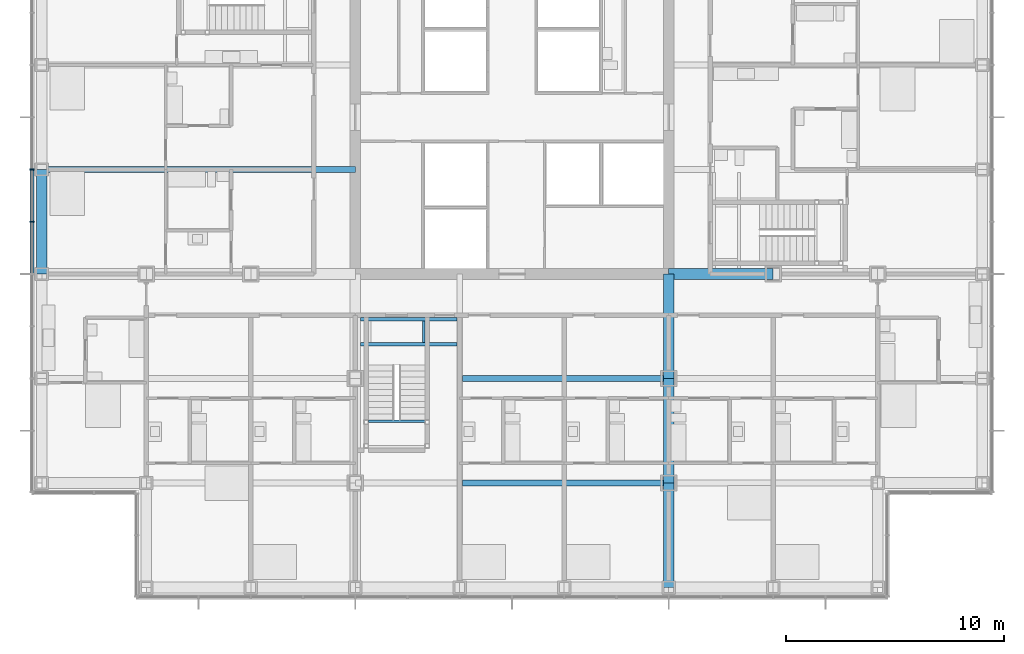
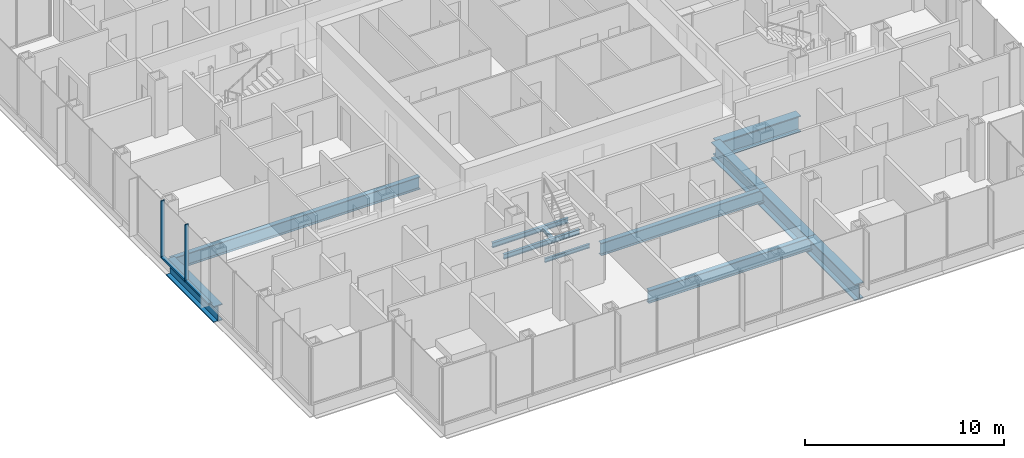
# One storey, part 7 of 22: 12 beams, 4 members, 1 element without a shape of its own.
"""IFC4 building model written with IfcOpenShell, lengths in metres."""

from ifc_helpers import new_model, si_unit, direction, frame, origin, origin_2d, place, context, subcontext, project, spatial, rectangle, i_section, extrude, material, material_profile, profile_set, type_object, element, aggregate, save


model = new_model("IFC4")

# Units and contexts
model_context = context("Model", 3, precision=1e-05, world=origin(), true_north=direction((0.0, 1.0)))
body_context = subcontext(model_context, "Body", "Model", "MODEL_VIEW")
ifc_project = project(units=[si_unit("LENGTHUNIT", "METRE"), si_unit("AREAUNIT", "SQUARE_METRE"), si_unit("VOLUMEUNIT", "CUBIC_METRE"), si_unit("PLANEANGLEUNIT", "RADIAN"), si_unit("MASSUNIT", "GRAM", prefix="KILO")], contexts=[model_context])

# Site, building, storey
site_placement = place(None, origin())
site = spatial("IfcSite", under=ifc_project, at=site_placement, CompositionType="ELEMENT")
building_placement = place(site_placement, origin())
building = spatial("IfcBuilding", under=site, at=building_placement, Name="Kvirike Care Tower", CompositionType="ELEMENT")
storey_placement = place(building_placement, frame((0.0, 0.0, 69.0)))
storey = spatial("IfcBuildingStorey", under=building, at=storey_placement, Name="L18", CompositionType="ELEMENT", Elevation=69.0)

# Curtain wall, members
ifc_material_1 = material(Name="Anodised aluminium stick system", Category="aluminium")
curtain_wall_type = type_object("IfcCurtainWallType", Name="CW-A STICK CURTAIN WALL", PredefinedType="NOTDEFINED", material=ifc_material_1)
curtain_wall_placement = place(storey_placement, origin())
curtain_wall = element("IfcCurtainWall", 1, at=curtain_wall_placement, inside=storey, type_object=curtain_wall_type, Name="Curtain wall L18 face 1", PredefinedType="NOTDEFINED")
ifc_material_2 = material(Name="Bronze anodised aluminium mullion", Category="aluminium")
ifc_material_profile_1 = material_profile(ifc_material_2, rectangle(XDim=0.06494140625, YDim=0.199951171875, at=origin_2d()), Name="CW-A MULLION 65x200")
ifc_profile_set_1 = profile_set([ifc_material_profile_1], Name="Bronze anodised aluminium mullion")
member_type_1 = type_object("IfcMemberType", Name="CW-A MULLION 65x200", PredefinedType="MULLION", material=ifc_profile_set_1)
member_1_placement = place(storey_placement, frame((-0.449951171875, 33.60009765625, 0.0), z_axis=(0.0, 0.0, 1.0), x_axis=(0.0, -1.0, 0.0)))
member_1 = element("IfcMember", 2, at=member_1_placement, type_object=member_type_1, Name="CW-A mullion L18 face 1.9", PredefinedType="MULLION", context=body_context, shape_type="SweptSolid", body=[
    extrude(rectangle(XDim=0.06494140625, YDim=0.199951171875, at=origin_2d()), origin(), (0.0, 0.0, 1.0), 3.5),
])
member_2_placement = place(storey_placement, frame((-0.449951171875, 31.199951171875, 0.0), z_axis=(0.0, 0.0, 1.0), x_axis=(0.0, -1.0, 0.0)))
member_2 = element("IfcMember", 3, at=member_2_placement, type_object=member_type_1, Name="CW-A mullion L18 face 1.10", PredefinedType="MULLION", context=body_context, shape_type="SweptSolid", body=[
    extrude(rectangle(XDim=0.06494140625, YDim=0.199951171875, at=origin_2d()), origin(), (0.0, 0.0, 1.0), 3.5),
])
ifc_material_3 = material(Name="Bronze anodised aluminium transom", Category="aluminium")
ifc_material_profile_2 = material_profile(ifc_material_3, rectangle(XDim=0.199951171875, YDim=0.10009765625, at=origin_2d()), Name="CW-A TRANSOM 200x100")
ifc_profile_set_2 = profile_set([ifc_material_profile_2], Name="Bronze anodised aluminium transom")
member_type_2 = type_object("IfcMemberType", Name="CW-A TRANSOM 200x100", PredefinedType="USERDEFINED", material=ifc_profile_set_2)
member_3_placement = place(storey_placement, frame((-0.449951171875, 33.5673828125, 0.050048828125), z_axis=(0.0, -1.0, 0.0), x_axis=(1.0, 0.0, 0.0)))
member_3 = element("IfcMember", 4, at=member_3_placement, type_object=member_type_2, Name="CW-A sill transom L18 face 1.9", ObjectType="TRANSOM", PredefinedType="USERDEFINED", context=body_context, shape_type="SweptSolid", body=[
    extrude(rectangle(XDim=0.199951171875, YDim=0.10009765625, at=origin_2d()), origin(), (0.0, 0.0, 1.0), 2.3349609375),
])
member_4_placement = place(storey_placement, frame((-0.449951171875, 31.16748046875, 0.050048828125), z_axis=(0.0, -1.0, 0.0), x_axis=(1.0, 0.0, 0.0)))
member_4 = element("IfcMember", 5, at=member_4_placement, type_object=member_type_2, Name="CW-A sill transom L18 face 1.10", ObjectType="TRANSOM", PredefinedType="USERDEFINED", context=body_context, shape_type="SweptSolid", body=[
    extrude(rectangle(XDim=0.199951171875, YDim=0.10009765625, at=origin_2d()), origin(), (0.0, 0.0, 1.0), 2.3349609375),
])
aggregate(curtain_wall, [member_1, member_2, member_3, member_4])

# Beams
ifc_material_4 = material(Name="Steel S355", Category="steel")
ifc_material_profile_3 = material_profile(ifc_material_4, i_section(OverallWidth=0.26806640625, OverallDepth=0.77001953125, WebThickness=0.015625, FlangeThickness=0.025390625, FilletRadius=0.01708984375, at=origin_2d()), Name="IPE 750x196")
ifc_profile_set_3 = profile_set([ifc_material_profile_3], Name="Steel S355")
beam_type_1 = type_object("IfcBeamType", Name="FLOOR BEAM IPE 750x196", PredefinedType="BEAM", material=ifc_profile_set_3)
for number, where, z_axis, x_axis, name in (
    (6, (19.333984375, 19.199951171875, -0.554931640625), (1.0, 0.0, 0.0), (0.0, 1.0, 0.0), "Floor Beam E7-E9 L18"),
    (7, (19.333984375, 24.0, -0.554931640625), (1.0, 0.0, 0.0), (0.0, 1.0, 0.0), "Floor Beam F7-F9 L18"),
):
    element("IfcBeam", number, at=place(storey_placement, frame(where, z_axis=z_axis, x_axis=x_axis)), inside=storey, type_object=beam_type_1, Name=name, PredefinedType="BEAM", context=body_context, shape_type="SweptSolid", body=[
        extrude(i_section(OverallWidth=0.26806640625, OverallDepth=0.77001953125, WebThickness=0.015625, FlangeThickness=0.025390625, FilletRadius=0.01708984375, at=origin_2d()), origin(), (0.0, 0.0, 1.0), 9.466064453125),
    ])
beam_1_placement = place(storey_placement, frame((0.0, 33.60009765625, -0.554931640625), z_axis=(1.0, 0.0, 0.0), x_axis=(0.0, 1.0, 0.0)))
element("IfcBeam", 8, at=beam_1_placement, inside=storey, type_object=beam_type_1, Name="Floor Beam H3-H6 L18", PredefinedType="BEAM", context=body_context, shape_type="SweptSolid", body=[
    extrude(i_section(OverallWidth=0.26806640625, OverallDepth=0.77001953125, WebThickness=0.015625, FlangeThickness=0.025390625, FilletRadius=0.01708984375, at=origin_2d()), origin(), (0.0, 0.0, 1.0), 14.39990234375),
])
ifc_material_5 = material(Name="Steel S355", Category="steel")
ifc_material_profile_4 = material_profile(ifc_material_5, i_section(OverallWidth=0.5, OverallDepth=1.0, WebThickness=0.030029296875, FlangeThickness=0.06005859375, at=origin_2d()), Name="PG 1000x500x30x60")
ifc_profile_set_4 = profile_set([ifc_material_profile_4], Name="Steel S355")
beam_type_2 = type_object("IfcBeamType", Name="FRAME BEAM PG 1000x500x30x60", PredefinedType="BEAM", material=ifc_profile_set_4)
for number, where, z_axis, x_axis, name in (
    (9, (28.800048828125, 28.800048828125, -0.669921875), (1.0, 0.0, 0.0), (0.0, 1.0, 0.0), "Frame Beam G9-G10 L18"),
    (10, (28.800048828125, 14.39990234375, -0.669921875), (0.0, 1.0, 0.0), (-1.0, 0.0, 0.0), "Frame Beam D9-E9 L18"),
    (11, (28.800048828125, 19.199951171875, -0.669921875), (0.0, 1.0, 0.0), (-1.0, 0.0, 0.0), "Frame Beam E9-F9 L18"),
    (12, (28.800048828125, 24.0, -0.669921875), (0.0, 1.0, 0.0), (-1.0, 0.0, 0.0), "Frame Beam F9-G9 L18"),
):
    element("IfcBeam", number, at=place(storey_placement, frame(where, z_axis=z_axis, x_axis=x_axis)), inside=storey, type_object=beam_type_2, Name=name, PredefinedType="BEAM", context=body_context, shape_type="SweptSolid", body=[
        extrude(i_section(OverallWidth=0.5, OverallDepth=1.0, WebThickness=0.030029296875, FlangeThickness=0.06005859375, at=origin_2d()), origin(), (0.0, 0.0, 1.0), 4.800048828125),
    ])
ifc_material_6 = material(Name="Steel S355", Category="steel")
ifc_material_profile_5 = material_profile(ifc_material_6, i_section(OverallWidth=0.5, OverallDepth=1.0, WebThickness=0.030029296875, FlangeThickness=0.06005859375, at=origin_2d()), Name="PG 1000x500x30x60")
ifc_profile_set_5 = profile_set([ifc_material_profile_5], Name="Steel S355")
beam_type_3 = type_object("IfcBeamType", Name="SPANDREL PG 1000x500x30x60", PredefinedType="SPANDREL", material=ifc_profile_set_5)
beam_2_placement = place(storey_placement, frame((0.0, 28.800048828125, -0.669921875), z_axis=(0.0, 1.0, 0.0), x_axis=(-1.0, 0.0, 0.0)))
element("IfcBeam", 13, at=beam_2_placement, inside=storey, type_object=beam_type_3, Name="Spandrel G3-H3 L18", PredefinedType="SPANDREL", context=body_context, shape_type="SweptSolid", body=[
    extrude(i_section(OverallWidth=0.5, OverallDepth=1.0, WebThickness=0.030029296875, FlangeThickness=0.06005859375, at=origin_2d()), origin(), (0.0, 0.0, 1.0), 4.800048828125),
])
ifc_material_7 = material(Name="Steel S355", Category="steel")
ifc_material_profile_6 = material_profile(ifc_material_7, i_section(OverallWidth=0.1201171875, OverallDepth=0.239990234375, WebThickness=0.006103515625, FlangeThickness=0.009765625, FilletRadius=0.014892578125, at=origin_2d()), Name="IPE 240")
ifc_profile_set_6 = profile_set([ifc_material_profile_6], Name="Steel S355")
beam_type_4 = type_object("IfcBeamType", Name="STAIR LANDING BEAM IPE 240", PredefinedType="BEAM", material=ifc_profile_set_6)
beam_3_placement = place(storey_placement, frame((15.0, 22.0400390625, 1.429931640625), z_axis=(1.0, 0.0, 0.0), x_axis=(0.0, 1.0, 0.0)))
element("IfcBeam", 14, at=beam_3_placement, inside=storey, type_object=beam_type_4, Name="Stair 5 landing beam front L18", PredefinedType="BEAM", context=body_context, shape_type="SweptSolid", body=[
    extrude(i_section(OverallWidth=0.1201171875, OverallDepth=0.239990234375, WebThickness=0.006103515625, FlangeThickness=0.009765625, FilletRadius=0.014892578125, at=origin_2d()), origin(), (0.0, 0.0, 1.0), 2.60009765625),
])
beam_4_placement = place(storey_placement, frame((17.5400390625, 25.64990234375, -0.320068359375), z_axis=(0.0, 1.0, 0.0), x_axis=(-1.0, 0.0, 0.0)))
element("IfcBeam", 15, at=beam_4_placement, inside=storey, type_object=beam_type_4, Name="Stair 5 landing edge beam 2 L18", PredefinedType="BEAM", context=body_context, shape_type="SweptSolid", body=[
    extrude(i_section(OverallWidth=0.1201171875, OverallDepth=0.239990234375, WebThickness=0.006103515625, FlangeThickness=0.009765625, FilletRadius=0.014892578125, at=origin_2d()), origin(), (0.0, 0.0, 1.0), 1.0),
])
ifc_material_8 = material(Name="Steel S355", Category="steel")
ifc_material_profile_7 = material_profile(ifc_material_8, i_section(OverallWidth=0.14990234375, OverallDepth=0.300048828125, WebThickness=0.007080078125, FlangeThickness=0.0107421875, FilletRadius=0.014892578125, at=origin_2d()), Name="IPE 300")
ifc_profile_set_7 = profile_set([ifc_material_profile_7], Name="Steel S355")
beam_type_5 = type_object("IfcBeamType", Name="STAIR TRIMMER IPE 300", PredefinedType="BEAM", material=ifc_profile_set_7)
for number, where, z_axis, x_axis, name in (
    (16, (14.64990234375, 25.574951171875, -0.35009765625), (1.0, 0.0, 0.0), (0.0, 1.0, 0.0), "Stair 5 trimmer 1 L18"),
    (17, (14.64990234375, 26.72509765625, -0.35009765625), (1.0, 0.0, 0.0), (0.0, 1.0, 0.0), "Stair 5 trimmer 2 L18"),
):
    element("IfcBeam", number, at=place(storey_placement, frame(where, z_axis=z_axis, x_axis=x_axis)), inside=storey, type_object=beam_type_5, Name=name, PredefinedType="BEAM", context=body_context, shape_type="SweptSolid", body=[
        extrude(i_section(OverallWidth=0.14990234375, OverallDepth=0.300048828125, WebThickness=0.007080078125, FlangeThickness=0.0107421875, FilletRadius=0.014892578125, at=origin_2d()), origin(), (0.0, 0.0, 1.0), 4.416015625),
    ])

save(model, "model.ifc")
